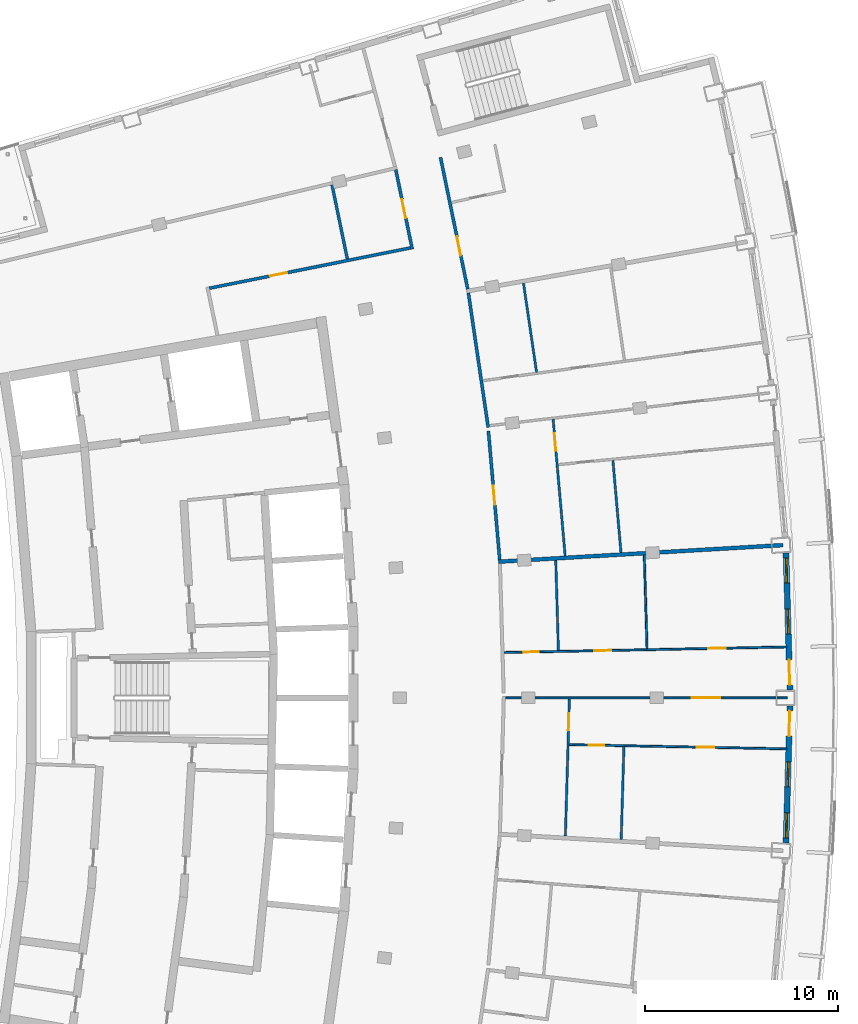
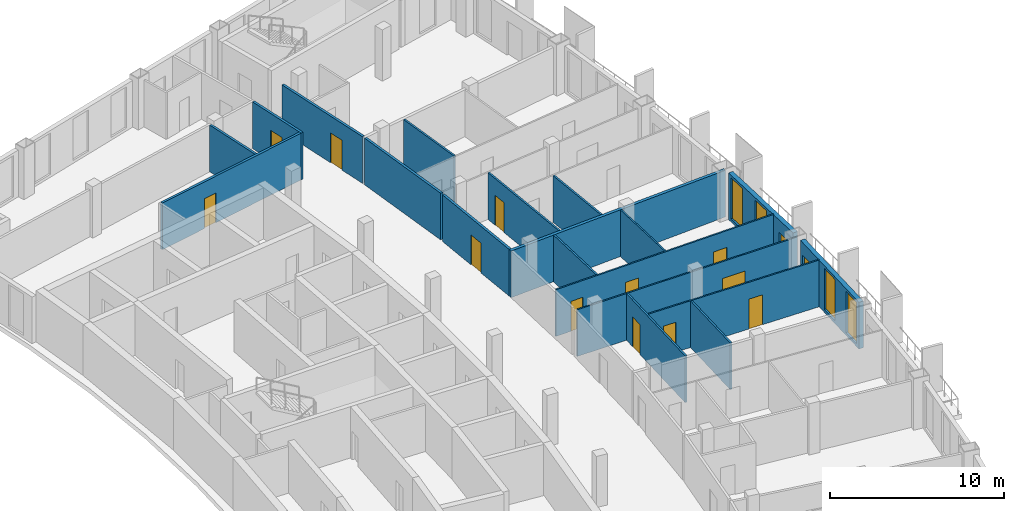
# One storey, part 11 of 16: 19 walls, 14 doors, 4 windows, 18 openings.
"""IFC4 building model written with IfcOpenShell, lengths in metres."""

from ifc_helpers import new_model, si_unit, direction, frame, frame_2d, origin, place, context, subcontext, project, spatial, rectangle, extrude, material, layer, layer_set, type_object, element, fill, save


model = new_model("IFC4")

# Units and contexts
model_context = context("Model", 3, precision=1e-05, world=origin(), true_north=direction((0.0, 1.0)))
body_context = subcontext(model_context, "Body", "Model", "MODEL_VIEW")
ifc_project = project(units=[si_unit("LENGTHUNIT", "METRE"), si_unit("AREAUNIT", "SQUARE_METRE"), si_unit("VOLUMEUNIT", "CUBIC_METRE"), si_unit("PLANEANGLEUNIT", "RADIAN"), si_unit("MASSUNIT", "GRAM", prefix="KILO")], contexts=[model_context])

# Site, building, storey
site_placement = place(None, origin())
site = spatial("IfcSite", under=ifc_project, at=site_placement, CompositionType="ELEMENT")
building_placement = place(site_placement, origin())
building = spatial("IfcBuilding", under=site, at=building_placement, Name="Alderwake Tower", CompositionType="ELEMENT")
storey_placement = place(building_placement, frame((0.0, 0.0, 281.60009765625)))
storey = spatial("IfcBuildingStorey", under=building, at=storey_placement, Name="L70", CompositionType="ELEMENT", Elevation=281.60009765625)

# Wall, opening, door
ifc_material_1 = material(Name="Gypsum board on metal studs, rated")
ifc_layer_1 = layer(ifc_material_1, 0.159912109375)
ifc_layer_set_1 = layer_set([ifc_layer_1], Name="Corridor wall 160")
wall_type_1 = type_object("IfcWallType", Name="Corridor wall 160", PredefinedType="PARTITIONING", material=ifc_layer_set_1)
wall_1_placement = place(storey_placement, frame((36.451416015625, 84.272705078125, 0.0), z_axis=(0.0, 0.0, 1.0), x_axis=(-0.20329833965, 0.979116839348, 0.0)))
wall_1 = element("IfcWall", 1, at=wall_1_placement, inside=storey, type_object=wall_type_1, Name="WL/L70/W15", PredefinedType="PARTITIONING", context=body_context, shape_type="SweptSolid", body=[
    extrude(rectangle(XDim=4.206787109375, YDim=0.159912109375, at=frame_2d((2.103515625, 0.0))), origin(), (0.0, 0.0, 1.0), 3.27978515625),
])
opening_1_placement = place(wall_1_placement, frame((1.642822265625, 0.0, 0.0)))
opening_1 = element("IfcOpeningElement", 2, at=opening_1_placement, cuts=wall_1, Name="Opening R20-SBN2", PredefinedType="OPENING", context=body_context, shape_type="SweptSolid", body=[
    extrude(rectangle(XDim=1.0, YDim=2.10009765625, at=frame_2d((0.5, 1.050048828125))), frame((0.0, 0.08984375, 0.0), z_axis=(0.0, -1.0, 0.0), x_axis=(1.0, 0.0, 0.0)), (0.0, 0.0, 1.0), 0.179931640625),
])
ifc_material_2 = material(Name="Steel-framed fire door leaf", Category="steel")
door_type_1 = type_object("IfcDoorType", Name="Plant room door 1000 fire-rated", OperationType="SINGLE_SWING_LEFT", PredefinedType="DOOR", material=ifc_material_2)
door_1_placement = place(opening_1_placement, origin())
door_1 = element("IfcDoor", 3, at=door_1_placement, inside=storey, type_object=door_type_1, Name="DR/L70/SBN2", OperationType="SINGLE_SWING_LEFT", OverallHeight=2.10009765625, OverallWidth=1.0, PredefinedType="DOOR", context=body_context, shape_type="SweptSolid", body=[
    extrude(rectangle(XDim=1.0, YDim=2.10009765625, at=frame_2d((0.5, 1.050048828125))), frame((0.0, 0.02490234375, 0.0), z_axis=(0.0, -1.0, 0.0), x_axis=(1.0, 0.0, 0.0)), (0.0, 0.0, 1.0), 0.050048828125),
])
fill(opening_1, door_1)

wall_2_placement = place(storey_placement, frame((25.926513671875, 82.24267578125, 0.0), z_axis=(0.0, 0.0, 1.0), x_axis=(0.98046310274, 0.196703086316, 0.0)))
wall_2 = element("IfcWall", 4, at=wall_2_placement, inside=storey, type_object=wall_type_1, Name="WL/L70/W17", PredefinedType="PARTITIONING", context=body_context, shape_type="SweptSolid", body=[
    extrude(rectangle(XDim=10.637939453125, YDim=0.159912109375, at=frame_2d((5.31884765625, 0.0))), origin(), (0.0, 0.0, 1.0), 3.27978515625),
])
opening_2_placement = place(wall_2_placement, frame((3.208984375, 0.0, 0.0)))
opening_2 = element("IfcOpeningElement", 5, at=opening_2_placement, cuts=wall_2, Name="Opening R20-SBN1", PredefinedType="OPENING", context=body_context, shape_type="SweptSolid", body=[
    extrude(rectangle(XDim=0.89990234375, YDim=2.10009765625, at=frame_2d((0.449951171875, 1.050048828125))), frame((0.0, 0.08984375, 0.0), z_axis=(0.0, -1.0, 0.0), x_axis=(1.0, 0.0, 0.0)), (0.0, 0.0, 1.0), 0.179931640625),
])
ifc_material_3 = material(Name="Painted timber leaf", Category="wood")
door_type_2 = type_object("IfcDoorType", Name="Room door 900", OperationType="SINGLE_SWING_LEFT", PredefinedType="DOOR", material=ifc_material_3)
door_2_placement = place(opening_2_placement, origin())
door_2 = element("IfcDoor", 6, at=door_2_placement, inside=storey, type_object=door_type_2, Name="DR/L70/SBN1", OperationType="SINGLE_SWING_LEFT", OverallHeight=2.10009765625, OverallWidth=0.89990234375, PredefinedType="DOOR", context=body_context, shape_type="SweptSolid", body=[
    extrude(rectangle(XDim=0.89990234375, YDim=2.10009765625, at=frame_2d((0.449951171875, 1.050048828125))), frame((0.0, 0.02490234375, 0.0), z_axis=(0.0, -1.0, 0.0), x_axis=(1.0, 0.0, 0.0)), (0.0, 0.0, 1.0), 0.050048828125),
])
fill(opening_2, door_2)

wall_3_placement = place(storey_placement, frame((37.9169921875, 89.02490234375, 0.0), z_axis=(0.0, 0.0, 1.0), x_axis=(0.202416809878, -0.97929946139, 0.0)))
wall_3 = element("IfcWall", 7, at=wall_3_placement, inside=storey, type_object=wall_type_1, Name="WL/L70/W20", PredefinedType="PARTITIONING", context=body_context, shape_type="SweptSolid", body=[
    extrude(rectangle(XDim=6.97021484375, YDim=0.159912109375, at=frame_2d((3.485107421875, 0.0))), origin(), (0.0, 0.0, 1.0), 3.27978515625),
])
opening_3_placement = place(wall_3_placement, frame((4.187255859375, 0.0, 0.0)))
opening_3 = element("IfcOpeningElement", 8, at=opening_3_placement, cuts=wall_3, Name="Opening R20-U07.1", PredefinedType="OPENING", context=body_context, shape_type="SweptSolid", body=[
    extrude(rectangle(XDim=1.0, YDim=2.10009765625, at=frame_2d((0.5, 1.050048828125))), frame((0.0, 0.08984375, 0.0), z_axis=(0.0, -1.0, 0.0), x_axis=(1.0, 0.0, 0.0)), (0.0, 0.0, 1.0), 0.179931640625),
])
ifc_material_4 = material(Name="Solid timber leaf in steel frame", Category="steel")
door_type_3 = type_object("IfcDoorType", Name="Flat entrance door 1000 fire-rated", OperationType="SINGLE_SWING_LEFT", PredefinedType="DOOR", material=ifc_material_4)
door_3_placement = place(opening_3_placement, origin())
door_3 = element("IfcDoor", 9, at=door_3_placement, inside=storey, type_object=door_type_3, Name="DR/L70/U07.1", OperationType="SINGLE_SWING_LEFT", OverallHeight=2.10009765625, OverallWidth=1.0, PredefinedType="DOOR", context=body_context, shape_type="SweptSolid", body=[
    extrude(rectangle(XDim=1.0, YDim=2.10009765625, at=frame_2d((0.5, 1.050048828125))), frame((0.0, 0.02490234375, 0.0), z_axis=(0.0, -1.0, 0.0), x_axis=(1.0, 0.0, 0.0)), (0.0, 0.0, 1.0), 0.050048828125),
])
fill(opening_3, door_3)

# Wall
wall_4_placement = place(storey_placement, frame((40.388671875, 75.02880859375, 0.0), z_axis=(0.0, 0.0, 1.0), x_axis=(-0.145585733575, 0.98934563939, 0.0)))
element("IfcWall", 10, at=wall_4_placement, inside=storey, type_object=wall_type_1, Name="WL/L70/W22", PredefinedType="PARTITIONING", context=body_context, shape_type="SweptSolid", body=[
    extrude(rectangle(XDim=7.04833984375, YDim=0.159912109375, at=frame_2d((3.524169921875, 0.0))), origin(), (0.0, 0.0, 1.0), 3.27978515625),
])

# Wall, opening, door
wall_5_placement = place(storey_placement, frame((40.400390625, 74.84228515625, 0.0), z_axis=(0.0, 0.0, 1.0), x_axis=(0.087437661692, -0.996169993183, 0.0)))
wall_5 = element("IfcWall", 11, at=wall_5_placement, inside=storey, type_object=wall_type_1, Name="WL/L70/W24", PredefinedType="PARTITIONING", context=body_context, shape_type="SweptSolid", body=[
    extrude(rectangle(XDim=6.701171875, YDim=0.159912109375, at=frame_2d((3.3505859375, 0.0))), origin(), (0.0, 0.0, 1.0), 3.27978515625),
])
opening_4_placement = place(wall_5_placement, frame((2.8505859375, 0.0, 0.0)))
opening_4 = element("IfcOpeningElement", 12, at=opening_4_placement, cuts=wall_5, Name="Opening R20-U06.1", PredefinedType="OPENING", context=body_context, shape_type="SweptSolid", body=[
    extrude(rectangle(XDim=1.0, YDim=2.10009765625, at=frame_2d((0.5, 1.050048828125))), frame((0.0, 0.08984375, 0.0), z_axis=(0.0, -1.0, 0.0), x_axis=(1.0, 0.0, 0.0)), (0.0, 0.0, 1.0), 0.179931640625),
])
door_4_placement = place(opening_4_placement, origin())
door_4 = element("IfcDoor", 13, at=door_4_placement, inside=storey, type_object=door_type_3, Name="DR/L70/U06.1", OperationType="SINGLE_SWING_LEFT", OverallHeight=2.10009765625, OverallWidth=1.0, PredefinedType="DOOR", context=body_context, shape_type="SweptSolid", body=[
    extrude(rectangle(XDim=1.0, YDim=2.10009765625, at=frame_2d((0.5, 1.050048828125))), frame((0.0, 0.02490234375, 0.0), z_axis=(0.0, -1.0, 0.0), x_axis=(1.0, 0.0, 0.0)), (0.0, 0.0, 1.0), 0.050048828125),
])
fill(opening_4, door_4)

# Wall, openings, door, windows
ifc_material_5 = material(Name="Precast concrete C50/60 spandrel panel", Category="concrete")
ifc_layer_2 = layer(ifc_material_5, 0.300048828125)
ifc_layer_set_2 = layer_set([ifc_layer_2], Name="External wall EW1 Precast concrete C50/60 spandrel")
wall_type_2 = type_object("IfcWallType", Name="External wall EW1 Precast concrete C50/60 spandrel", PredefinedType="SOLIDWALL", material=ifc_layer_set_2)
wall_6_placement = place(storey_placement, frame((55.830810546875, 53.48974609375, 0.0), z_axis=(0.0, 0.0, 1.0), x_axis=(0.029158281494, 0.999574806916, 0.0)))
wall_6 = element("IfcWall", 14, at=wall_6_placement, inside=storey, type_object=wall_type_2, Name="External wall 15", PredefinedType="SOLIDWALL", context=body_context, shape_type="SweptSolid", body=[
    extrude(rectangle(XDim=7.091796875, YDim=0.300048828125, at=frame_2d((3.5458984375, 0.0))), origin(), (0.0, 0.0, 1.0), 3.27978515625),
])
opening_5_placement = place(wall_6_placement, frame((0.255615234375, 0.0, 0.199951171875)))
opening_5 = element("IfcOpeningElement", 15, at=opening_5_placement, cuts=wall_6, Name="Opening W1", PredefinedType="OPENING", context=body_context, shape_type="SweptSolid", body=[
    extrude(rectangle(XDim=1.300048828125, YDim=2.89990234375, at=frame_2d((0.64990234375, 1.449951171875))), frame((0.0, 0.159912109375, 0.0), z_axis=(0.0, -1.0, 0.0), x_axis=(1.0, 0.0, 0.0)), (0.0, 0.0, 1.0), 0.320068359375),
])
opening_6_placement = place(wall_6_placement, frame((2.89599609375, 0.0, 0.199951171875)))
opening_6 = element("IfcOpeningElement", 16, at=opening_6_placement, cuts=wall_6, Name="Opening W1", PredefinedType="OPENING", context=body_context, shape_type="SweptSolid", body=[
    extrude(rectangle(XDim=1.300048828125, YDim=2.89990234375, at=frame_2d((0.64990234375, 1.449951171875))), frame((0.0, 0.159912109375, 0.0), z_axis=(0.0, -1.0, 0.0), x_axis=(1.0, 0.0, 0.0)), (0.0, 0.0, 1.0), 0.320068359375),
])
opening_7_placement = place(wall_6_placement, frame((5.5361328125, 0.0, 0.0)))
opening_7 = element("IfcOpeningElement", 17, at=opening_7_placement, cuts=wall_6, Name="Opening D04", PredefinedType="OPENING", context=body_context, shape_type="SweptSolid", body=[
    extrude(rectangle(XDim=1.300048828125, YDim=2.39990234375, at=frame_2d((0.64990234375, 1.199951171875))), frame((0.0, 0.159912109375, 0.0), z_axis=(0.0, -1.0, 0.0), x_axis=(1.0, 0.0, 0.0)), (0.0, 0.0, 1.0), 0.320068359375),
])
ifc_material_6 = material(Name="Bronze tinted glass in aluminium frame", Category="aluminium")
door_type_4 = type_object("IfcDoorType", Name="Balcony door BD sliding", OperationType="SLIDING_TO_LEFT", PredefinedType="DOOR", material=ifc_material_6)
door_5_placement = place(opening_7_placement, origin())
door_5 = element("IfcDoor", 18, at=door_5_placement, inside=storey, type_object=door_type_4, Name="Door D04", OperationType="SLIDING_TO_LEFT", OverallHeight=2.39990234375, OverallWidth=1.300048828125, PredefinedType="DOOR", context=body_context, shape_type="SweptSolid", body=[
    extrude(rectangle(XDim=1.300048828125, YDim=2.39990234375, at=frame_2d((0.64990234375, 1.199951171875))), frame((0.0, 0.02490234375, 0.0), z_axis=(0.0, -1.0, 0.0), x_axis=(1.0, 0.0, 0.0)), (0.0, 0.0, 1.0), 0.050048828125),
])
fill(opening_7, door_5)
ifc_material_7 = material(Name="Bronze tinted glass in aluminium frame", Category="aluminium")
window_type = type_object("IfcWindowType", Name="Window W1 tall fixed and vent", PartitioningType="DOUBLE_PANEL_VERTICAL", PredefinedType="WINDOW", material=ifc_material_7)
window_1_placement = place(opening_5_placement, origin())
window_1 = element("IfcWindow", 19, at=window_1_placement, inside=storey, type_object=window_type, Name="Window W1 tall fixed and vent", OverallHeight=2.89990234375, OverallWidth=1.300048828125, PartitioningType="DOUBLE_PANEL_VERTICAL", PredefinedType="WINDOW", context=body_context, shape_type="SweptSolid", body=[
    extrude(rectangle(XDim=1.300048828125, YDim=2.89990234375, at=frame_2d((0.64990234375, 1.449951171875))), frame((0.0, 0.030029296875, 0.0), z_axis=(0.0, -1.0, 0.0), x_axis=(1.0, 0.0, 0.0)), (0.0, 0.0, 1.0), 0.06005859375),
])
fill(opening_5, window_1)
window_2_placement = place(opening_6_placement, origin())
window_2 = element("IfcWindow", 20, at=window_2_placement, inside=storey, type_object=window_type, Name="Window W1 tall fixed and vent", OverallHeight=2.89990234375, OverallWidth=1.300048828125, PartitioningType="DOUBLE_PANEL_VERTICAL", PredefinedType="WINDOW", context=body_context, shape_type="SweptSolid", body=[
    extrude(rectangle(XDim=1.300048828125, YDim=2.89990234375, at=frame_2d((0.64990234375, 1.449951171875))), frame((0.0, 0.030029296875, 0.0), z_axis=(0.0, -1.0, 0.0), x_axis=(1.0, 0.0, 0.0)), (0.0, 0.0, 1.0), 0.06005859375),
])
fill(opening_6, window_2)

wall_7_placement = place(storey_placement, frame((56.03759765625, 61.42138671875, 0.0), z_axis=(0.0, 0.0, 1.0), x_axis=(-0.029158281494, 0.999574806916, 0.0)))
wall_7 = element("IfcWall", 21, at=wall_7_placement, inside=storey, type_object=wall_type_2, Name="External wall 16", PredefinedType="SOLIDWALL", context=body_context, shape_type="SweptSolid", body=[
    extrude(rectangle(XDim=7.091796875, YDim=0.300048828125, at=frame_2d((3.5458984375, 0.0))), origin(), (0.0, 0.0, 1.0), 3.27978515625),
])
opening_8_placement = place(wall_7_placement, frame((0.255615234375, 0.0, 0.0)))
opening_8 = element("IfcOpeningElement", 22, at=opening_8_placement, cuts=wall_7, Name="Opening D05", PredefinedType="OPENING", context=body_context, shape_type="SweptSolid", body=[
    extrude(rectangle(XDim=1.300048828125, YDim=2.39990234375, at=frame_2d((0.64990234375, 1.199951171875))), frame((0.0, 0.159912109375, 0.0), z_axis=(0.0, -1.0, 0.0), x_axis=(1.0, 0.0, 0.0)), (0.0, 0.0, 1.0), 0.320068359375),
])
opening_9_placement = place(wall_7_placement, frame((2.89599609375, 0.0, 0.199951171875)))
opening_9 = element("IfcOpeningElement", 23, at=opening_9_placement, cuts=wall_7, Name="Opening W1", PredefinedType="OPENING", context=body_context, shape_type="SweptSolid", body=[
    extrude(rectangle(XDim=1.300048828125, YDim=2.89990234375, at=frame_2d((0.64990234375, 1.449951171875))), frame((0.0, 0.159912109375, 0.0), z_axis=(0.0, -1.0, 0.0), x_axis=(1.0, 0.0, 0.0)), (0.0, 0.0, 1.0), 0.320068359375),
])
opening_10_placement = place(wall_7_placement, frame((5.5361328125, 0.0, 0.199951171875)))
opening_10 = element("IfcOpeningElement", 24, at=opening_10_placement, cuts=wall_7, Name="Opening W1", PredefinedType="OPENING", context=body_context, shape_type="SweptSolid", body=[
    extrude(rectangle(XDim=1.300048828125, YDim=2.89990234375, at=frame_2d((0.64990234375, 1.449951171875))), frame((0.0, 0.159912109375, 0.0), z_axis=(0.0, -1.0, 0.0), x_axis=(1.0, 0.0, 0.0)), (0.0, 0.0, 1.0), 0.320068359375),
])
door_6_placement = place(opening_8_placement, origin())
door_6 = element("IfcDoor", 25, at=door_6_placement, inside=storey, type_object=door_type_4, Name="Door D05", OperationType="SLIDING_TO_LEFT", OverallHeight=2.39990234375, OverallWidth=1.300048828125, PredefinedType="DOOR", context=body_context, shape_type="SweptSolid", body=[
    extrude(rectangle(XDim=1.300048828125, YDim=2.39990234375, at=frame_2d((0.64990234375, 1.199951171875))), frame((0.0, 0.02490234375, 0.0), z_axis=(0.0, -1.0, 0.0), x_axis=(1.0, 0.0, 0.0)), (0.0, 0.0, 1.0), 0.050048828125),
])
fill(opening_8, door_6)
window_3_placement = place(opening_9_placement, origin())
window_3 = element("IfcWindow", 26, at=window_3_placement, inside=storey, type_object=window_type, Name="Window W1 tall fixed and vent", OverallHeight=2.89990234375, OverallWidth=1.300048828125, PartitioningType="DOUBLE_PANEL_VERTICAL", PredefinedType="WINDOW", context=body_context, shape_type="SweptSolid", body=[
    extrude(rectangle(XDim=1.300048828125, YDim=2.89990234375, at=frame_2d((0.64990234375, 1.449951171875))), frame((0.0, 0.030029296875, 0.0), z_axis=(0.0, -1.0, 0.0), x_axis=(1.0, 0.0, 0.0)), (0.0, 0.0, 1.0), 0.06005859375),
])
fill(opening_9, window_3)
window_4_placement = place(opening_10_placement, origin())
window_4 = element("IfcWindow", 27, at=window_4_placement, inside=storey, type_object=window_type, Name="Window W1 tall fixed and vent", OverallHeight=2.89990234375, OverallWidth=1.300048828125, PartitioningType="DOUBLE_PANEL_VERTICAL", PredefinedType="WINDOW", context=body_context, shape_type="SweptSolid", body=[
    extrude(rectangle(XDim=1.300048828125, YDim=2.89990234375, at=frame_2d((0.64990234375, 1.449951171875))), frame((0.0, 0.030029296875, 0.0), z_axis=(0.0, -1.0, 0.0), x_axis=(1.0, 0.0, 0.0)), (0.0, 0.0, 1.0), 0.06005859375),
])
fill(opening_10, window_4)

# Walls
ifc_material_8 = material(Name="Dense block masonry wall", Category="masonry")
ifc_layer_3 = layer(ifc_material_8, 0.199951171875)
ifc_layer_set_3 = layer_set([ifc_layer_3], Name="Party wall 200")
wall_type_3 = type_object("IfcWallType", Name="Party wall 200", PredefinedType="SOLIDWALL", material=ifc_layer_set_3)
wall_8_placement = place(storey_placement, frame((55.66796875, 68.922119140625, 0.0), z_axis=(0.0, 0.0, 1.0), x_axis=(-0.99830578901, -0.058185493296, 0.0)))
element("IfcWall", 28, at=wall_8_placement, inside=storey, type_object=wall_type_3, Name="WL/L70/W03", PredefinedType="SOLIDWALL", context=body_context, shape_type="SweptSolid", body=[
    extrude(rectangle(XDim=14.778076171875, YDim=0.199951171875, at=frame_2d((7.38916015625, 0.0))), origin(), (0.0, 0.0, 1.0), 3.27978515625),
])
ifc_material_9 = material(Name="Gypsum shaft wall system, rated")
ifc_layer_4 = layer(ifc_material_9, 0.14990234375)
ifc_layer_set_4 = layer_set([ifc_layer_4], Name="Riser and shaft wall 150")
wall_type_4 = type_object("IfcWallType", Name="Riser and shaft wall 150", PredefinedType="PARTITIONING", material=ifc_layer_set_4)
wall_9_placement = place(storey_placement, frame((33.085693359375, 83.76025390625, 0.0), z_axis=(0.0, 0.0, 1.0), x_axis=(-0.2025562632, 0.97927062666, 0.0)))
element("IfcWall", 29, at=wall_9_placement, inside=storey, type_object=wall_type_4, Name="WL/L70/W05", PredefinedType="PARTITIONING", context=body_context, shape_type="SweptSolid", body=[
    extrude(rectangle(XDim=3.9267578125, YDim=0.14990234375, at=frame_2d((1.96337890625, 0.0))), origin(), (0.0, 0.0, 1.0), 3.27978515625),
])

# Wall, openings, doors
ifc_material_10 = material(Name="Gypsum board on metal studs")
ifc_layer_5 = layer(ifc_material_10, 0.10009765625)
ifc_layer_set_5 = layer_set([ifc_layer_5], Name="Unit partition 100")
wall_type_5 = type_object("IfcWallType", Name="Unit partition 100", PredefinedType="PARTITIONING", material=ifc_layer_set_5)
wall_10_placement = place(storey_placement, frame((41.2099609375, 63.355712890625, 0.0), z_axis=(0.0, 0.0, 1.0), x_axis=(0.999809309532, 0.019528045825, 0.0)))
wall_10 = element("IfcWall", 30, at=wall_10_placement, inside=storey, type_object=wall_type_5, Name="WL/L70/W46", PredefinedType="PARTITIONING", context=body_context, shape_type="SweptSolid", body=[
    extrude(rectangle(XDim=14.664794921875, YDim=0.10009765625, at=frame_2d((7.33251953125, 0.0))), origin(), (0.0, 0.0, 1.0), 3.27978515625),
])
opening_11_placement = place(wall_10_placement, frame((4.668701171875, 0.0, 0.0)))
opening_11 = element("IfcOpeningElement", 31, at=opening_11_placement, cuts=wall_10, Name="Opening R20-U05.5", PredefinedType="OPENING", context=body_context, shape_type="SweptSolid", body=[
    extrude(rectangle(XDim=0.89990234375, YDim=2.10009765625, at=frame_2d((0.449951171875, 1.050048828125))), frame((0.0, 0.06005859375, 0.0), z_axis=(0.0, -1.0, 0.0), x_axis=(1.0, 0.0, 0.0)), (0.0, 0.0, 1.0), 0.1201171875),
])
opening_12_placement = place(wall_10_placement, frame((1.010009765625, 0.0, 0.0)))
opening_12 = element("IfcOpeningElement", 32, at=opening_12_placement, cuts=wall_10, Name="Opening R20-U05.6", PredefinedType="OPENING", context=body_context, shape_type="SweptSolid", body=[
    extrude(rectangle(XDim=0.800048828125, YDim=2.10009765625, at=frame_2d((0.39990234375, 1.050048828125))), frame((0.0, 0.06005859375, 0.0), z_axis=(0.0, -1.0, 0.0), x_axis=(1.0, 0.0, 0.0)), (0.0, 0.0, 1.0), 0.1201171875),
])
opening_13_placement = place(wall_10_placement, frame((10.590576171875, 0.0, 0.0)))
opening_13 = element("IfcOpeningElement", 33, at=opening_13_placement, cuts=wall_10, Name="Opening R20-U05.7", PredefinedType="OPENING", context=body_context, shape_type="SweptSolid", body=[
    extrude(rectangle(XDim=0.89990234375, YDim=2.10009765625, at=frame_2d((0.449951171875, 1.050048828125))), frame((0.0, 0.06005859375, 0.0), z_axis=(0.0, -1.0, 0.0), x_axis=(1.0, 0.0, 0.0)), (0.0, 0.0, 1.0), 0.1201171875),
])
ifc_material_11 = material(Name="Painted timber leaf", Category="wood")
door_type_5 = type_object("IfcDoorType", Name="Bathroom door 800", OperationType="SINGLE_SWING_LEFT", PredefinedType="DOOR", material=ifc_material_11)
door_7_placement = place(opening_12_placement, origin())
door_7 = element("IfcDoor", 34, at=door_7_placement, inside=storey, type_object=door_type_5, Name="DR/L70/U05.6", OperationType="SINGLE_SWING_LEFT", OverallHeight=2.10009765625, OverallWidth=0.800048828125, PredefinedType="DOOR", context=body_context, shape_type="SweptSolid", body=[
    extrude(rectangle(XDim=0.800048828125, YDim=2.10009765625, at=frame_2d((0.39990234375, 1.050048828125))), frame((0.0, 0.02490234375, 0.0), z_axis=(0.0, -1.0, 0.0), x_axis=(1.0, 0.0, 0.0)), (0.0, 0.0, 1.0), 0.050048828125),
])
fill(opening_12, door_7)
door_8_placement = place(opening_11_placement, origin())
door_8 = element("IfcDoor", 35, at=door_8_placement, inside=storey, type_object=door_type_2, Name="DR/L70/U05.5", OperationType="SINGLE_SWING_LEFT", OverallHeight=2.10009765625, OverallWidth=0.89990234375, PredefinedType="DOOR", context=body_context, shape_type="SweptSolid", body=[
    extrude(rectangle(XDim=0.89990234375, YDim=2.10009765625, at=frame_2d((0.449951171875, 1.050048828125))), frame((0.0, 0.02490234375, 0.0), z_axis=(0.0, -1.0, 0.0), x_axis=(1.0, 0.0, 0.0)), (0.0, 0.0, 1.0), 0.050048828125),
])
fill(opening_11, door_8)
door_9_placement = place(opening_13_placement, origin())
door_9 = element("IfcDoor", 36, at=door_9_placement, inside=storey, type_object=door_type_2, Name="DR/L70/U05.7", OperationType="SINGLE_SWING_LEFT", OverallHeight=2.10009765625, OverallWidth=0.89990234375, PredefinedType="DOOR", context=body_context, shape_type="SweptSolid", body=[
    extrude(rectangle(XDim=0.89990234375, YDim=2.10009765625, at=frame_2d((0.449951171875, 1.050048828125))), frame((0.0, 0.02490234375, 0.0), z_axis=(0.0, -1.0, 0.0), x_axis=(1.0, 0.0, 0.0)), (0.0, 0.0, 1.0), 0.050048828125),
])
fill(opening_13, door_9)

# Wall, opening, door
wall_11_placement = place(storey_placement, frame((41.279052734375, 60.9990234375, 0.0), z_axis=(0.0, 0.0, 1.0), x_axis=(1.0, 0.0, 0.0)))
wall_11 = element("IfcWall", 37, at=wall_11_placement, inside=storey, type_object=wall_type_5, Name="WL/L70/W47", PredefinedType="PARTITIONING", context=body_context, shape_type="SweptSolid", body=[
    extrude(rectangle(XDim=14.619873046875, YDim=0.10009765625, at=frame_2d((7.31005859375, 0.0))), origin(), (0.0, 0.0, 1.0), 3.27978515625),
])
opening_14_placement = place(wall_11_placement, frame((9.654296875, 0.0, 0.0)))
opening_14 = element("IfcOpeningElement", 38, at=opening_14_placement, cuts=wall_11, Name="Opening R20-U05.8", PredefinedType="OPENING", context=body_context, shape_type="SweptSolid", body=[
    extrude(rectangle(XDim=1.5, YDim=2.10009765625, at=frame_2d((0.75, 1.050048828125))), frame((0.0, 0.06005859375, 0.0), z_axis=(0.0, -1.0, 0.0), x_axis=(1.0, 0.0, 0.0)), (0.0, 0.0, 1.0), 0.1201171875),
])
ifc_material_12 = material(Name="Painted timber leaves", Category="wood")
door_type_6 = type_object("IfcDoorType", Name="Double leaf door 1500", OperationType="DOUBLE_DOOR_SINGLE_SWING", PredefinedType="DOOR", material=ifc_material_12)
door_10_placement = place(opening_14_placement, origin())
door_10 = element("IfcDoor", 39, at=door_10_placement, inside=storey, type_object=door_type_6, Name="DR/L70/U05.8", OperationType="DOUBLE_DOOR_SINGLE_SWING", OverallHeight=2.10009765625, OverallWidth=1.5, PredefinedType="DOOR", context=body_context, shape_type="SweptSolid", body=[
    extrude(rectangle(XDim=1.5, YDim=2.10009765625, at=frame_2d((0.75, 1.050048828125))), frame((0.0, 0.02490234375, 0.0), z_axis=(0.0, -1.0, 0.0), x_axis=(1.0, 0.0, 0.0)), (0.0, 0.0, 1.0), 0.050048828125),
])
fill(opening_14, door_10)

# Wall, openings, doors
wall_12_placement = place(storey_placement, frame((55.8720703125, 58.35888671875, 0.0), z_axis=(0.0, 0.0, 1.0), x_axis=(-0.999813368299, 0.019319124481, 0.0)))
wall_12 = element("IfcWall", 40, at=wall_12_placement, inside=storey, type_object=wall_type_5, Name="WL/L70/W49", PredefinedType="PARTITIONING", context=body_context, shape_type="SweptSolid", body=[
    extrude(rectangle(XDim=11.28515625, YDim=0.10009765625, at=frame_2d((5.642578125, 0.0))), origin(), (0.0, 0.0, 1.0), 3.27978515625),
])
opening_15_placement = place(wall_12_placement, frame((9.465576171875, 0.0, 0.0)))
opening_15 = element("IfcOpeningElement", 41, at=opening_15_placement, cuts=wall_12, Name="Opening R20-U05.3", PredefinedType="OPENING", context=body_context, shape_type="SweptSolid", body=[
    extrude(rectangle(XDim=0.800048828125, YDim=2.10009765625, at=frame_2d((0.39990234375, 1.050048828125))), frame((0.0, 0.06005859375, 0.0), z_axis=(0.0, -1.0, 0.0), x_axis=(1.0, 0.0, 0.0)), (0.0, 0.0, 1.0), 0.1201171875),
])
opening_16_placement = place(wall_12_placement, frame((3.7734375, 0.0, 0.0)))
opening_16 = element("IfcOpeningElement", 42, at=opening_16_placement, cuts=wall_12, Name="Opening R20-U05.4", PredefinedType="OPENING", context=body_context, shape_type="SweptSolid", body=[
    extrude(rectangle(XDim=0.89990234375, YDim=2.10009765625, at=frame_2d((0.449951171875, 1.050048828125))), frame((0.0, 0.06005859375, 0.0), z_axis=(0.0, -1.0, 0.0), x_axis=(1.0, 0.0, 0.0)), (0.0, 0.0, 1.0), 0.1201171875),
])
door_11_placement = place(opening_15_placement, origin())
door_11 = element("IfcDoor", 43, at=door_11_placement, inside=storey, type_object=door_type_5, Name="DR/L70/U05.3", OperationType="SINGLE_SWING_LEFT", OverallHeight=2.10009765625, OverallWidth=0.800048828125, PredefinedType="DOOR", context=body_context, shape_type="SweptSolid", body=[
    extrude(rectangle(XDim=0.800048828125, YDim=2.10009765625, at=frame_2d((0.39990234375, 1.050048828125))), frame((0.0, 0.02490234375, 0.0), z_axis=(0.0, -1.0, 0.0), x_axis=(1.0, 0.0, 0.0)), (0.0, 0.0, 1.0), 0.050048828125),
])
fill(opening_15, door_11)
door_12_placement = place(opening_16_placement, origin())
door_12 = element("IfcDoor", 44, at=door_12_placement, inside=storey, type_object=door_type_2, Name="DR/L70/U05.4", OperationType="SINGLE_SWING_LEFT", OverallHeight=2.10009765625, OverallWidth=0.89990234375, PredefinedType="DOOR", context=body_context, shape_type="SweptSolid", body=[
    extrude(rectangle(XDim=0.89990234375, YDim=2.10009765625, at=frame_2d((0.449951171875, 1.050048828125))), frame((0.0, 0.02490234375, 0.0), z_axis=(0.0, -1.0, 0.0), x_axis=(1.0, 0.0, 0.0)), (0.0, 0.0, 1.0), 0.050048828125),
])
fill(opening_16, door_12)

# Walls
wall_13_placement = place(storey_placement, frame((48.62548828125, 63.551025390625, 0.0), z_axis=(0.0, 0.0, 1.0), x_axis=(-0.029378355509, 0.999568362959, 0.0)))
element("IfcWall", 45, at=wall_13_placement, inside=storey, type_object=wall_type_5, Name="WL/L70/W53", PredefinedType="PARTITIONING", context=body_context, shape_type="SweptSolid", body=[
    extrude(rectangle(XDim=4.853271484375, YDim=0.10009765625, at=frame_2d((2.4267578125, 0.0))), origin(), (0.0, 0.0, 1.0), 3.27978515625),
])
ifc_material_13 = material(Name="Moisture resistant gypsum board on metal studs")
ifc_layer_6 = layer(ifc_material_13, 0.1201171875)
ifc_layer_set_6 = layer_set([ifc_layer_6], Name="Wet room partition 120")
wall_type_6 = type_object("IfcWallType", Name="Wet room partition 120", PredefinedType="PARTITIONING", material=ifc_layer_set_6)
wall_14_placement = place(storey_placement, frame((42.898681640625, 77.881591796875, 0.0), z_axis=(0.0, 0.0, 1.0), x_axis=(-0.145424863666, 0.989369298608, 0.0)))
element("IfcWall", 46, at=wall_14_placement, inside=storey, type_object=wall_type_6, Name="WL/L70/W35", PredefinedType="PARTITIONING", context=body_context, shape_type="SweptSolid", body=[
    extrude(rectangle(XDim=4.67724609375, YDim=0.1201171875, at=frame_2d((2.338623046875, 0.0))), origin(), (0.0, 0.0, 1.0), 3.27978515625),
])

# Wall, opening, door
wall_15_placement = place(storey_placement, frame((43.75634765625, 75.4541015625, 0.0), z_axis=(0.0, 0.0, 1.0), x_axis=(0.087513351383, -0.996163346711, 0.0)))
wall_15 = element("IfcWall", 47, at=wall_15_placement, inside=storey, type_object=wall_type_6, Name="WL/L70/W37", PredefinedType="PARTITIONING", context=body_context, shape_type="SweptSolid", body=[
    extrude(rectangle(XDim=7.11669921875, YDim=0.1201171875, at=frame_2d((3.558349609375, 0.0))), origin(), (0.0, 0.0, 1.0), 3.27978515625),
])
opening_17_placement = place(wall_15_placement, frame((0.736328125, 0.0, 0.0)))
opening_17 = element("IfcOpeningElement", 48, at=opening_17_placement, cuts=wall_15, Name="Opening R20-U06.2", PredefinedType="OPENING", context=body_context, shape_type="SweptSolid", body=[
    extrude(rectangle(XDim=0.89990234375, YDim=2.10009765625, at=frame_2d((0.449951171875, 1.050048828125))), frame((0.0, 0.070068359375, 0.0), z_axis=(0.0, -1.0, 0.0), x_axis=(1.0, 0.0, 0.0)), (0.0, 0.0, 1.0), 0.14013671875),
])
door_13_placement = place(opening_17_placement, origin())
door_13 = element("IfcDoor", 49, at=door_13_placement, inside=storey, type_object=door_type_2, Name="DR/L70/U06.2", OperationType="SINGLE_SWING_LEFT", OverallHeight=2.10009765625, OverallWidth=0.89990234375, PredefinedType="DOOR", context=body_context, shape_type="SweptSolid", body=[
    extrude(rectangle(XDim=0.89990234375, YDim=2.10009765625, at=frame_2d((0.449951171875, 1.050048828125))), frame((0.0, 0.02490234375, 0.0), z_axis=(0.0, -1.0, 0.0), x_axis=(1.0, 0.0, 0.0)), (0.0, 0.0, 1.0), 0.050048828125),
])
fill(opening_17, door_13)

# Wall
wall_16_placement = place(storey_placement, frame((44.029541015625, 63.4609375, 0.0), z_axis=(0.0, 0.0, 1.0), x_axis=(-0.029237951874, 0.999572479698, 0.0)))
element("IfcWall", 50, at=wall_16_placement, inside=storey, type_object=wall_type_6, Name="WL/L70/W38", PredefinedType="PARTITIONING", context=body_context, shape_type="SweptSolid", body=[
    extrude(rectangle(XDim=4.676025390625, YDim=0.1201171875, at=frame_2d((2.337890625, 0.0))), origin(), (0.0, 0.0, 1.0), 3.27978515625),
])

# Wall, opening, door
wall_17_placement = place(storey_placement, frame((44.599609375, 60.948974609375, 0.0), z_axis=(0.0, 0.0, 1.0), x_axis=(-0.029333519004, -0.999569679744, 0.0)))
wall_17 = element("IfcWall", 51, at=wall_17_placement, inside=storey, type_object=wall_type_6, Name="WL/L70/W39", PredefinedType="PARTITIONING", context=body_context, shape_type="SweptSolid", body=[
    extrude(rectangle(XDim=7.1162109375, YDim=0.1201171875, at=frame_2d((3.55810546875, 0.0))), origin(), (0.0, 0.0, 1.0), 3.27978515625),
])
opening_18_placement = place(wall_17_placement, frame((0.735595703125, 0.0, 0.0)))
opening_18 = element("IfcOpeningElement", 52, at=opening_18_placement, cuts=wall_17, Name="Opening R20-U05.2", PredefinedType="OPENING", context=body_context, shape_type="SweptSolid", body=[
    extrude(rectangle(XDim=0.89990234375, YDim=2.10009765625, at=frame_2d((0.449951171875, 1.050048828125))), frame((0.0, 0.070068359375, 0.0), z_axis=(0.0, -1.0, 0.0), x_axis=(1.0, 0.0, 0.0)), (0.0, 0.0, 1.0), 0.14013671875),
])
door_14_placement = place(opening_18_placement, origin())
door_14 = element("IfcDoor", 53, at=door_14_placement, inside=storey, type_object=door_type_2, Name="DR/L70/U05.2", OperationType="SINGLE_SWING_LEFT", OverallHeight=2.10009765625, OverallWidth=0.89990234375, PredefinedType="DOOR", context=body_context, shape_type="SweptSolid", body=[
    extrude(rectangle(XDim=0.89990234375, YDim=2.10009765625, at=frame_2d((0.449951171875, 1.050048828125))), frame((0.0, 0.02490234375, 0.0), z_axis=(0.0, -1.0, 0.0), x_axis=(1.0, 0.0, 0.0)), (0.0, 0.0, 1.0), 0.050048828125),
])
fill(opening_18, door_14)

# Walls
wall_18_placement = place(storey_placement, frame((47.285888671875, 53.66796875, 0.0), z_axis=(0.0, 0.0, 1.0), x_axis=(0.029063100448, 0.999577578876, 0.0)))
element("IfcWall", 54, at=wall_18_placement, inside=storey, type_object=wall_type_6, Name="WL/L70/W40", PredefinedType="PARTITIONING", context=body_context, shape_type="SweptSolid", body=[
    extrude(rectangle(XDim=4.804931640625, YDim=0.1201171875, at=frame_2d((2.40234375, 0.0))), origin(), (0.0, 0.0, 1.0), 3.27978515625),
])
wall_19_placement = place(storey_placement, frame((47.2744140625, 68.53271484375, 0.0), z_axis=(0.0, 0.0, 1.0), x_axis=(-0.087155609358, 0.996194709762, 0.0)))
element("IfcWall", 55, at=wall_19_placement, inside=storey, type_object=wall_type_6, Name="WL/L70/W41", PredefinedType="PARTITIONING", context=body_context, shape_type="SweptSolid", body=[
    extrude(rectangle(XDim=4.806884765625, YDim=0.1201171875, at=frame_2d((2.4033203125, 0.0))), origin(), (0.0, 0.0, 1.0), 3.27978515625),
])

save(model, "model.ifc")
